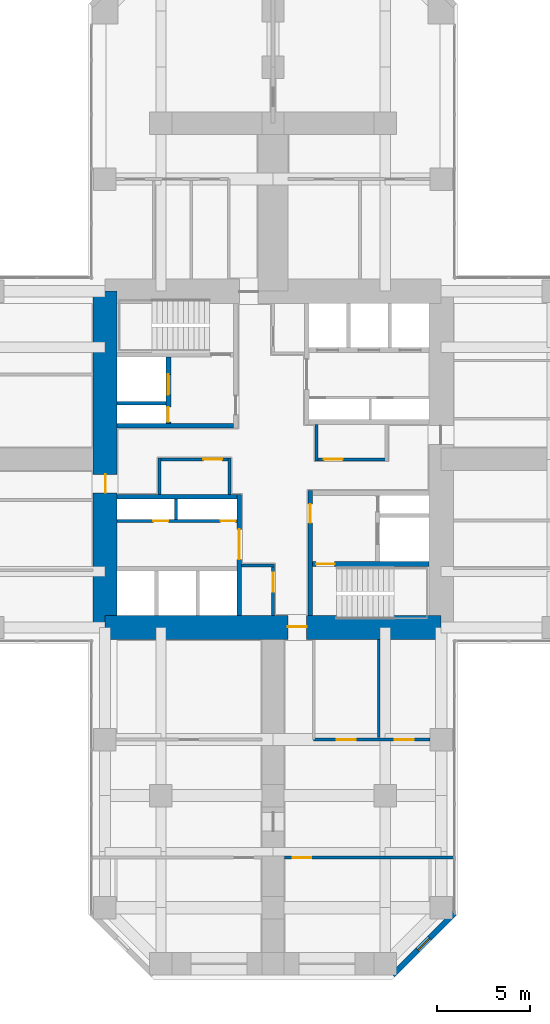
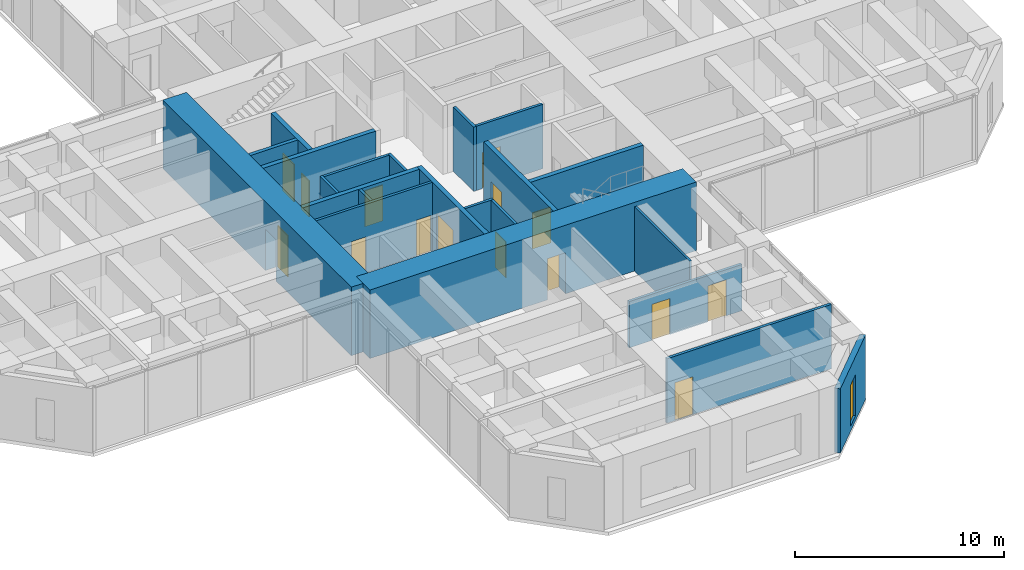
# One storey, part 9 of 13: 22 walls, 15 doors, 1 window, 16 openings.
"""IFC4 building model written with IfcOpenShell, lengths in metres."""

from ifc_helpers import new_model, si_unit, direction, frame, frame_2d, origin, place, context, subcontext, project, spatial, rectangle, hollow_rectangle, extrude, material, layer, layer_set, constituent, constituent_set, type_object, element, fill, save


model = new_model("IFC4")

# Units and contexts
model_context = context("Model", 3, precision=1e-05, world=origin(), true_north=direction((0.0, 1.0)))
body_context = subcontext(model_context, "Body", "Model", "MODEL_VIEW")
ifc_project = project(units=[si_unit("LENGTHUNIT", "METRE"), si_unit("AREAUNIT", "SQUARE_METRE"), si_unit("VOLUMEUNIT", "CUBIC_METRE"), si_unit("PLANEANGLEUNIT", "RADIAN"), si_unit("MASSUNIT", "GRAM", prefix="KILO")], contexts=[model_context])

# Site, building, storey
site_placement = place(None, origin())
site = spatial("IfcSite", under=ifc_project, at=site_placement, CompositionType="ELEMENT")
building_placement = place(site_placement, origin())
building = spatial("IfcBuilding", under=site, at=building_placement, Name="Torre Cruceta", CompositionType="ELEMENT")
storey_placement = place(building_placement, frame((0.0, 0.0, 91.5)))
storey = spatial("IfcBuildingStorey", under=building, at=storey_placement, Name="L22", CompositionType="ELEMENT", Elevation=91.5)

# Wall
ifc_material_1 = material(Name="Concrete G60 (fck 60 MPa)", Category="concrete")
ifc_layer_1 = layer(ifc_material_1, 0.25)
ifc_layer_set_1 = layer_set([ifc_layer_1], Name="Concrete G60 (fck 60 MPa)")
wall_type_1 = type_object("IfcWallType", Name="CORE INNER WALL 250 G60", PredefinedType="SHEAR", material=ifc_layer_set_1)
wall_1_placement = place(storey_placement, frame((-2.125, 1.800048828125, 0.0), z_axis=(0.0, 0.0, 1.0), x_axis=(-1.0, 0.0, 0.0)))
element("IfcWall", 1, at=wall_1_placement, inside=storey, type_object=wall_type_1, Name="CW4 L22 NW-CV", PredefinedType="SHEAR", context=body_context, shape_type="SweptSolid", body=[
    extrude(rectangle(XDim=6.22509765625, YDim=0.25, at=frame_2d((3.112548828125, 0.0))), origin(), (0.0, 0.0, 1.0), 4.0),
])

# Wall, openings, doors
wall_2_placement = place(storey_placement, frame((-5.60009765625, 1.925048828125, 0.0), z_axis=(0.0, 0.0, 1.0), x_axis=(0.0, 1.0, 0.0)))
wall_2 = element("IfcWall", 2, at=wall_2_placement, inside=storey, type_object=wall_type_1, Name="CW4 L22 NW-FU", PredefinedType="SHEAR", context=body_context, shape_type="SweptSolid", body=[
    extrude(rectangle(XDim=3.550048828125, YDim=0.25, at=frame_2d((1.77490234375, 0.0))), origin(), (0.0, 0.0, 1.0), 4.0),
])
opening_1_placement = place(wall_2_placement, frame((1.52490234375, 0.0, 0.0)))
opening_1 = element("IfcOpeningElement", 3, at=opening_1_placement, cuts=wall_2, Name="Opening LD1", PredefinedType="OPENING", context=body_context, shape_type="SweptSolid", body=[
    extrude(rectangle(XDim=1.10009765625, YDim=2.199951171875, at=frame_2d((0.550048828125, 1.10009765625))), frame((0.0, 0.135009765625, 0.0), z_axis=(0.0, -1.0, 0.0), x_axis=(1.0, 0.0, 0.0)), (0.0, 0.0, 1.0), 0.27001953125),
])
opening_2_placement = place(wall_2_placement, frame((0.074951171875, 0.0, 0.0)))
opening_2 = element("IfcOpeningElement", 4, at=opening_2_placement, cuts=wall_2, Name="Opening D5", PredefinedType="OPENING", context=body_context, shape_type="SweptSolid", body=[
    extrude(rectangle(XDim=0.800048828125, YDim=2.10009765625, at=frame_2d((0.39990234375, 1.050048828125))), frame((0.0, 0.135009765625, 0.0), z_axis=(0.0, -1.0, 0.0), x_axis=(1.0, 0.0, 0.0)), (0.0, 0.0, 1.0), 0.27001953125),
])
ifc_material_2 = material(Name="Stainless steel 1.4401", Category="steel")
door_type_1 = type_object("IfcDoorType", Name="LIFT LANDING DOOR 1100X2200", OperationType="DOUBLE_DOOR_SLIDING", PredefinedType="DOOR", material=ifc_material_2)
door_1_placement = place(opening_1_placement, origin())
door_1 = element("IfcDoor", 5, at=door_1_placement, inside=storey, type_object=door_type_1, Name="Lift landing door FL1", OperationType="DOUBLE_DOOR_SLIDING", OverallHeight=2.199951171875, OverallWidth=1.10009765625, PredefinedType="DOOR", context=body_context, shape_type="SweptSolid", body=[
    extrude(rectangle(XDim=1.10009765625, YDim=2.199951171875, at=frame_2d((0.550048828125, 1.10009765625))), frame((0.0, 0.02490234375, 0.0), z_axis=(0.0, -1.0, 0.0), x_axis=(1.0, 0.0, 0.0)), (0.0, 0.0, 1.0), 0.050048828125),
])
fill(opening_1, door_1)
ifc_material_3 = material(Name="Steel DX51D", Category="steel")
ifc_constituent_1 = constituent(ifc_material_3, Name="Leaf and frame")
ifc_material_4 = material(Name="Polyester powder coating", Category="paint")
ifc_constituent_2 = constituent(ifc_material_4, Name="Finish")
ifc_constituent_set_1 = constituent_set(constituents=[ifc_constituent_1, ifc_constituent_2], Name="Steel fire door")
door_type_2 = type_object("IfcDoorType", Name="RISER ACCESS DOOR 800X2100", OperationType="SINGLE_SWING_LEFT", PredefinedType="DOOR", material=ifc_constituent_set_1)
door_2_placement = place(opening_2_placement, origin())
door_2 = element("IfcDoor", 6, at=door_2_placement, inside=storey, type_object=door_type_2, Name="D5 L22 NW-RISER", OperationType="SINGLE_SWING_LEFT", OverallHeight=2.10009765625, OverallWidth=0.800048828125, PredefinedType="DOOR", context=body_context, shape_type="SweptSolid", body=[
    extrude(rectangle(XDim=0.800048828125, YDim=2.10009765625, at=frame_2d((0.39990234375, 1.050048828125))), frame((0.0, 0.02490234375, 0.0), z_axis=(0.0, -1.0, 0.0), x_axis=(1.0, 0.0, 0.0)), (0.0, 0.0, 1.0), 0.050048828125),
])
fill(opening_2, door_2)

# Wall, opening, door
wall_3_placement = place(storey_placement, frame((-1.800048828125, -1.875, 0.0), z_axis=(0.0, 0.0, 1.0), x_axis=(0.0, -1.0, 0.0)))
wall_3 = element("IfcWall", 7, at=wall_3_placement, inside=storey, type_object=wall_type_1, Name="CW4 L22 SW-CU", PredefinedType="SHEAR", context=body_context, shape_type="SweptSolid", body=[
    extrude(rectangle(XDim=6.47509765625, YDim=0.25, at=frame_2d((3.237548828125, 0.0))), origin(), (0.0, 0.0, 1.0), 4.0),
])
opening_3_placement = place(wall_3_placement, frame((1.875, 0.0, 0.0)))
opening_3 = element("IfcOpeningElement", 8, at=opening_3_placement, cuts=wall_3, Name="Opening D15", PredefinedType="OPENING", context=body_context, shape_type="SweptSolid", body=[
    extrude(rectangle(XDim=1.60009765625, YDim=2.39990234375, at=frame_2d((0.800048828125, 1.199951171875))), frame((0.0, 0.135009765625, 0.0), z_axis=(0.0, -1.0, 0.0), x_axis=(1.0, 0.0, 0.0)), (0.0, 0.0, 1.0), 0.27001953125),
])
ifc_material_5 = material(Name="Steel DX51D", Category="steel")
ifc_constituent_3 = constituent(ifc_material_5, Name="Leaf and frame")
ifc_material_6 = material(Name="Polyester powder coating", Category="paint")
ifc_constituent_4 = constituent(ifc_material_6, Name="Finish")
ifc_constituent_set_2 = constituent_set(constituents=[ifc_constituent_3, ifc_constituent_4], Name="Steel fire door")
door_type_3 = type_object("IfcDoorType", Name="CORE ROOM DOUBLE DOOR 1600X2400", OperationType="DOUBLE_DOOR_SINGLE_SWING", PredefinedType="DOOR", material=ifc_constituent_set_2)
door_3_placement = place(opening_3_placement, frame((1.60009765625, 0.0, 0.0), z_axis=(0.0, 0.0, 1.0), x_axis=(-1.0, 0.0, 0.0)))
door_3 = element("IfcDoor", 9, at=door_3_placement, inside=storey, type_object=door_type_3, Name="D15 L22 SW-LOBBY", OperationType="DOUBLE_DOOR_SINGLE_SWING", OverallHeight=2.39990234375, OverallWidth=1.60009765625, PredefinedType="DOOR", context=body_context, shape_type="SweptSolid", body=[
    extrude(rectangle(XDim=1.60009765625, YDim=2.39990234375, at=frame_2d((0.800048828125, 1.199951171875))), frame((0.0, 0.025146484375, 0.0), z_axis=(0.0, -1.0, 0.0), x_axis=(1.0, 0.0, 0.0)), (0.0, 0.0, 1.0), 0.050048828125),
])
fill(opening_3, door_3)

# Wall
wall_4_placement = place(storey_placement, frame((-1.925048828125, -2.0, 0.0), z_axis=(0.0, 0.0, 1.0), x_axis=(-1.0, 0.0, 0.0)))
element("IfcWall", 10, at=wall_4_placement, inside=storey, type_object=wall_type_1, Name="CW4 L22 SW-CV", PredefinedType="SHEAR", context=body_context, shape_type="SweptSolid", body=[
    extrude(rectangle(XDim=6.425048828125, YDim=0.25, at=frame_2d((3.21240234375, 0.0))), origin(), (0.0, 0.0, 1.0), 4.0),
])

# Wall, opening, door
wall_5_placement = place(storey_placement, frame((2.0, -1.675048828125, 0.0), z_axis=(0.0, 0.0, 1.0), x_axis=(0.0, -1.0, 0.0)))
wall_5 = element("IfcWall", 11, at=wall_5_placement, inside=storey, type_object=wall_type_1, Name="CW4 L22 SE-CU", PredefinedType="SHEAR", context=body_context, shape_type="SweptSolid", body=[
    extrude(rectangle(XDim=6.675048828125, YDim=0.25, at=frame_2d((3.33740234375, 0.0))), origin(), (0.0, 0.0, 1.0), 4.0),
])
opening_4_placement = place(wall_5_placement, frame((0.72509765625, 0.0, 0.0)))
opening_4 = element("IfcOpeningElement", 12, at=opening_4_placement, cuts=wall_5, Name="Opening D3", PredefinedType="OPENING", context=body_context, shape_type="SweptSolid", body=[
    extrude(rectangle(XDim=1.0, YDim=2.10009765625, at=frame_2d((0.5, 1.050048828125))), frame((0.0, 0.135009765625, 0.0), z_axis=(0.0, -1.0, 0.0), x_axis=(1.0, 0.0, 0.0)), (0.0, 0.0, 1.0), 0.27001953125),
])
ifc_material_7 = material(Name="Steel DX51D", Category="steel")
ifc_constituent_5 = constituent(ifc_material_7, Name="Leaf and frame")
ifc_material_8 = material(Name="Polyester powder coating", Category="paint")
ifc_constituent_6 = constituent(ifc_material_8, Name="Finish")
ifc_constituent_set_3 = constituent_set(constituents=[ifc_constituent_5, ifc_constituent_6], Name="Steel fire door")
door_type_4 = type_object("IfcDoorType", Name="FIRE DOOR 1000X2100", OperationType="SINGLE_SWING_LEFT", PredefinedType="DOOR", material=ifc_constituent_set_3)
door_4_placement = place(opening_4_placement, origin())
door_4 = element("IfcDoor", 13, at=door_4_placement, inside=storey, type_object=door_type_4, Name="D3 L22 SE-LOBBY", OperationType="SINGLE_SWING_LEFT", OverallHeight=2.10009765625, OverallWidth=1.0, PredefinedType="DOOR", context=body_context, shape_type="SweptSolid", body=[
    extrude(rectangle(XDim=1.0, YDim=2.10009765625, at=frame_2d((0.5, 1.050048828125))), frame((0.0, 0.02490234375, 0.0), z_axis=(0.0, -1.0, 0.0), x_axis=(1.0, 0.0, 0.0)), (0.0, 0.0, 1.0), 0.050048828125),
])
fill(opening_4, door_4)

wall_6_placement = place(storey_placement, frame((2.125, -5.60009765625, 0.0), z_axis=(0.0, 0.0, 1.0), x_axis=(1.0, 0.0, 0.0)))
wall_6 = element("IfcWall", 14, at=wall_6_placement, inside=storey, type_object=wall_type_1, Name="CW4 L22 SE-SV", PredefinedType="SHEAR", context=body_context, shape_type="SweptSolid", body=[
    extrude(rectangle(XDim=6.22509765625, YDim=0.25, at=frame_2d((3.112548828125, 0.0))), origin(), (0.0, 0.0, 1.0), 4.0),
])
opening_5_placement = place(wall_6_placement, frame((0.175048828125, 0.0, 0.0)))
opening_5 = element("IfcOpeningElement", 15, at=opening_5_placement, cuts=wall_6, Name="Opening D3", PredefinedType="OPENING", context=body_context, shape_type="SweptSolid", body=[
    extrude(rectangle(XDim=1.0, YDim=2.10009765625, at=frame_2d((0.5, 1.050048828125))), frame((0.0, 0.135009765625, 0.0), z_axis=(0.0, -1.0, 0.0), x_axis=(1.0, 0.0, 0.0)), (0.0, 0.0, 1.0), 0.27001953125),
])
door_5_placement = place(opening_5_placement, frame((1.0, 0.0, 0.0), z_axis=(0.0, 0.0, 1.0), x_axis=(-1.0, 0.0, 0.0)))
door_5 = element("IfcDoor", 16, at=door_5_placement, inside=storey, type_object=door_type_4, Name="D3 L22 SE-STAIR", OperationType="SINGLE_SWING_RIGHT", OverallHeight=2.10009765625, OverallWidth=1.0, PredefinedType="DOOR", context=body_context, shape_type="SweptSolid", body=[
    extrude(rectangle(XDim=1.0, YDim=2.10009765625, at=frame_2d((0.5, 1.050048828125))), frame((0.0, 0.025146484375, 0.0), z_axis=(0.0, -1.0, 0.0), x_axis=(1.0, 0.0, 0.0)), (0.0, 0.0, 1.0), 0.050048828125),
])
fill(opening_5, door_5)

ifc_material_9 = material(Name="Concrete G60 (fck 60 MPa)", Category="concrete")
ifc_layer_2 = layer(ifc_material_9, 1.300048828125)
ifc_layer_set_2 = layer_set([ifc_layer_2], Name="Concrete G60 (fck 60 MPa)")
wall_type_2 = type_object("IfcWallType", Name="CORE WALL 1300 G60", PredefinedType="SHEAR", material=ifc_layer_set_2)
wall_7_placement = place(storey_placement, frame((-9.0, -9.0, 0.0), z_axis=(0.0, 0.0, 1.0), x_axis=(1.0, 0.0, 0.0)))
wall_7 = element("IfcWall", 17, at=wall_7_placement, inside=storey, type_object=wall_type_2, Name="CW1 L22 CW-S", PredefinedType="SHEAR", context=body_context, shape_type="SweptSolid", body=[
    extrude(rectangle(XDim=18.0, YDim=1.300048828125, at=frame_2d((9.0, 0.0))), origin(), (0.0, 0.0, 1.0), 4.0),
])
opening_6_placement = place(wall_7_placement, frame((9.800048828125, 0.0, 0.0)))
opening_6 = element("IfcOpeningElement", 18, at=opening_6_placement, cuts=wall_7, Name="Opening D4", PredefinedType="OPENING", context=body_context, shape_type="SweptSolid", body=[
    extrude(rectangle(XDim=1.0, YDim=2.39990234375, at=frame_2d((0.5, 1.199951171875))), frame((0.0, 0.659912109375, 0.0), z_axis=(0.0, -1.0, 0.0), x_axis=(1.0, 0.0, 0.0)), (0.0, 0.0, 1.0), 1.320068359375),
])
ifc_material_10 = material(Name="Steel DX51D", Category="steel")
ifc_constituent_7 = constituent(ifc_material_10, Name="Leaf and frame")
ifc_material_11 = material(Name="Polyester powder coating", Category="paint")
ifc_constituent_8 = constituent(ifc_material_11, Name="Finish")
ifc_constituent_set_4 = constituent_set(constituents=[ifc_constituent_7, ifc_constituent_8], Name="Steel fire door")
door_type_5 = type_object("IfcDoorType", Name="CORE ARM DOOR 1000X2400", OperationType="SINGLE_SWING_RIGHT", PredefinedType="DOOR", material=ifc_constituent_set_4)
door_6_placement = place(opening_6_placement, frame((1.0, 0.0, 0.0), z_axis=(0.0, 0.0, 1.0), x_axis=(-1.0, 0.0, 0.0)))
door_6 = element("IfcDoor", 19, at=door_6_placement, inside=storey, type_object=door_type_5, Name="D4 L22 CW-S", OperationType="SINGLE_SWING_RIGHT", OverallHeight=2.39990234375, OverallWidth=1.0, PredefinedType="DOOR", context=body_context, shape_type="SweptSolid", body=[
    extrude(rectangle(XDim=1.0, YDim=2.39990234375, at=frame_2d((0.5, 1.199951171875))), frame((0.0, -0.005126953125, 0.0), z_axis=(0.0, -1.0, 0.0), x_axis=(1.0, 0.0, 0.0)), (0.0, 0.0, 1.0), 0.050048828125),
])
fill(opening_6, door_6)

wall_8_placement = place(storey_placement, frame((-9.0, 9.0, 0.0), z_axis=(0.0, 0.0, 1.0), x_axis=(0.0, -1.0, 0.0)))
wall_8 = element("IfcWall", 20, at=wall_8_placement, inside=storey, type_object=wall_type_2, Name="CW1 L22 CW-W", PredefinedType="SHEAR", context=body_context, shape_type="SweptSolid", body=[
    extrude(rectangle(XDim=18.0, YDim=1.300048828125, at=frame_2d((9.0, 0.0))), origin(), (0.0, 0.0, 1.0), 4.0),
])
opening_7_placement = place(wall_8_placement, frame((9.800048828125, 0.0, 0.0)))
opening_7 = element("IfcOpeningElement", 21, at=opening_7_placement, cuts=wall_8, Name="Opening D4", PredefinedType="OPENING", context=body_context, shape_type="SweptSolid", body=[
    extrude(rectangle(XDim=1.0, YDim=2.39990234375, at=frame_2d((0.5, 1.199951171875))), frame((0.0, 0.659912109375, 0.0), z_axis=(0.0, -1.0, 0.0), x_axis=(1.0, 0.0, 0.0)), (0.0, 0.0, 1.0), 1.320068359375),
])
door_7_placement = place(opening_7_placement, frame((1.0, 0.0, 0.0), z_axis=(0.0, 0.0, 1.0), x_axis=(-1.0, 0.0, 0.0)))
door_7 = element("IfcDoor", 22, at=door_7_placement, inside=storey, type_object=door_type_5, Name="D4 L22 CW-W", OperationType="SINGLE_SWING_RIGHT", OverallHeight=2.39990234375, OverallWidth=1.0, PredefinedType="DOOR", context=body_context, shape_type="SweptSolid", body=[
    extrude(rectangle(XDim=1.0, YDim=2.39990234375, at=frame_2d((0.5, 1.199951171875))), frame((0.0, -0.005126953125, 0.0), z_axis=(0.0, -1.0, 0.0), x_axis=(1.0, 0.0, 0.0)), (0.0, 0.0, 1.0), 0.050048828125),
])
fill(opening_7, door_7)

# Wall, opening, window
ifc_material_12 = material(Name="Concrete G30 (fck 30 MPa)", Category="concrete")
ifc_layer_3 = layer(ifc_material_12, 0.300048828125)
ifc_layer_set_3 = layer_set([ifc_layer_3], Name="Concrete G30 (fck 30 MPa)")
wall_type_3 = type_object("IfcWallType", Name="EXPOSED CONCRETE FACADE WALL 300", PredefinedType="SOLIDWALL", material=ifc_layer_set_3)
wall_9_placement = place(storey_placement, frame((6.418212890625, -27.60009765625, 0.0), z_axis=(0.0, 0.0, 1.0), x_axis=(0.707106781187, 0.707106781187, 0.0)))
wall_9 = element("IfcWall", 23, at=wall_9_placement, inside=storey, type_object=wall_type_3, Name="EW1 facade wall L22 S chamfer 18", PredefinedType="SOLIDWALL", context=body_context, shape_type="SweptSolid", body=[
    extrude(rectangle(XDim=4.66943359375, YDim=0.300048828125, at=frame_2d((2.334716796875, 0.0))), origin(), (0.0, 0.0, 1.0), 3.75),
])
opening_8_placement = place(wall_9_placement, frame((1.884765625, 0.0, 0.300048828125)))
opening_8 = element("IfcOpeningElement", 24, at=opening_8_placement, cuts=wall_9, Name="Opening WN5", PredefinedType="OPENING", context=body_context, shape_type="SweptSolid", body=[
    extrude(rectangle(XDim=0.89990234375, YDim=2.39990234375, at=frame_2d((0.449951171875, 1.199951171875))), frame((0.0, 0.159912109375, 0.0), z_axis=(0.0, -1.0, 0.0), x_axis=(1.0, 0.0, 0.0)), (0.0, 0.0, 1.0), 0.320068359375),
])
ifc_material_13 = material(Name="Aluminium window frame", Category="aluminium")
ifc_constituent_9 = constituent(ifc_material_13, Name="Frame")
ifc_material_14 = material(Name="Laminated insulating glass unit, low-iron clear", Category="glass")
ifc_constituent_10 = constituent(ifc_material_14, Name="Glazing")
ifc_constituent_set_5 = constituent_set(constituents=[ifc_constituent_9, ifc_constituent_10], Name="Aluminium window")
window_type = type_object("IfcWindowType", Name="CHAMFER SLOT WINDOW 900X2400", PartitioningType="SINGLE_PANEL", PredefinedType="WINDOW", material=ifc_constituent_set_5)
window_placement = place(opening_8_placement, origin())
window = element("IfcWindow", 25, at=window_placement, inside=storey, type_object=window_type, Name="WN5 L22 S 1", OverallHeight=2.39990234375, OverallWidth=0.89990234375, PartitioningType="SINGLE_PANEL", PredefinedType="WINDOW", context=body_context, shape_type="SweptSolid", body=[
    extrude(hollow_rectangle(XDim=0.89990234375, YDim=2.39990234375, WallThickness=0.06005859375, at=frame_2d((0.449951171875, 1.199951171875))), frame((0.0, 0.030029296875, 0.0), z_axis=(0.0, -1.0, 0.0), x_axis=(1.0, 0.0, 0.0)), (0.0, 0.0, 1.0), 0.06005859375),
    extrude(rectangle(XDim=0.77880859375, YDim=2.27880859375, at=frame_2d((0.449951171875, 1.199951171875))), frame((0.0, 0.030029296875, 0.0), z_axis=(0.0, -1.0, 0.0), x_axis=(1.0, 0.0, 0.0)), (0.0, 0.0, 1.0), 0.06005859375),
])
fill(opening_8, window)

# Wall
ifc_material_15 = material(Name="Concrete G35 (fck 35 MPa)", Category="concrete")
ifc_layer_4 = layer(ifc_material_15, 0.199951171875)
ifc_layer_set_4 = layer_set([ifc_layer_4], Name="Concrete G35 (fck 35 MPa)")
wall_type_4 = type_object("IfcWallType", Name="LIFT SHAFT WALL 200", PredefinedType="PARTITIONING", material=ifc_layer_set_4)
wall_10_placement = place(storey_placement, frame((-5.72509765625, 3.0, 0.0), z_axis=(0.0, 0.0, 1.0), x_axis=(-1.0, 0.0, 0.0)))
element("IfcWall", 26, at=wall_10_placement, inside=storey, type_object=wall_type_4, Name="SW1 L22 NW-FR", PredefinedType="PARTITIONING", context=body_context, shape_type="SweptSolid", body=[
    extrude(rectangle(XDim=2.625, YDim=0.199951171875, at=frame_2d((1.3125, 0.0))), origin(), (0.0, 0.0, 1.0), 4.0),
])

# Wall, opening, door
ifc_material_16 = material(Name="Plasterboard on steel studs", Category="steel")
ifc_layer_5 = layer(ifc_material_16, 0.14990234375)
ifc_layer_set_5 = layer_set([ifc_layer_5], Name="Plasterboard on steel studs")
wall_type_5 = type_object("IfcWallType", Name="PARTITION 150", PredefinedType="PARTITIONING", material=ifc_layer_set_5)
wall_11_placement = place(storey_placement, frame((2.324951171875, 0.0, 0.0), z_axis=(0.0, 0.0, 1.0), x_axis=(1.0, 0.0, 0.0)))
wall_11 = element("IfcWall", 27, at=wall_11_placement, inside=storey, type_object=wall_type_5, Name="PT1 L22-CORE-LEGE-N-W1", PredefinedType="PARTITIONING", context=body_context, shape_type="SweptSolid", body=[
    extrude(rectangle(XDim=3.75, YDim=0.14990234375, at=frame_2d((1.875, 0.0))), origin(), (0.0, 0.0, 1.0), 3.75),
])
opening_9_placement = place(wall_11_placement, frame((0.39990234375, 0.0, 0.0)))
opening_9 = element("IfcOpeningElement", 28, at=opening_9_placement, cuts=wall_11, Name="Opening D3", PredefinedType="OPENING", context=body_context, shape_type="SweptSolid", body=[
    extrude(rectangle(XDim=1.0, YDim=2.10009765625, at=frame_2d((0.5, 1.050048828125))), frame((0.0, 0.0849609375, 0.0), z_axis=(0.0, -1.0, 0.0), x_axis=(1.0, 0.0, 0.0)), (0.0, 0.0, 1.0), 0.169921875),
])
door_8_placement = place(opening_9_placement, origin())
door_8 = element("IfcDoor", 29, at=door_8_placement, inside=storey, type_object=door_type_4, Name="D3 L22-CORE-LEGE-N-W1-D1", OperationType="SINGLE_SWING_LEFT", OverallHeight=2.10009765625, OverallWidth=1.0, PredefinedType="DOOR", context=body_context, shape_type="SweptSolid", body=[
    extrude(rectangle(XDim=1.0, YDim=2.10009765625, at=frame_2d((0.5, 1.050048828125))), frame((0.0, 0.02490234375, 0.0), z_axis=(0.0, -1.0, 0.0), x_axis=(1.0, 0.0, 0.0)), (0.0, 0.0, 1.0), 0.050048828125),
])
fill(opening_9, door_8)

# Wall
wall_12_placement = place(storey_placement, frame((2.324951171875, 1.875, 0.0), z_axis=(0.0, 0.0, 1.0), x_axis=(0.0, -1.0, 0.0)))
element("IfcWall", 30, at=wall_12_placement, inside=storey, type_object=wall_type_5, Name="PT1 L22-CORE-LEGE-N-W2", PredefinedType="PARTITIONING", context=body_context, shape_type="SweptSolid", body=[
    extrude(rectangle(XDim=1.949951171875, YDim=0.14990234375, at=frame_2d((0.97509765625, 0.0))), origin(), (0.0, 0.0, 1.0), 3.75),
])

# Wall, opening, door
wall_13_placement = place(storey_placement, frame((-2.324951171875, 0.0, 0.0), z_axis=(0.0, 0.0, 1.0), x_axis=(-1.0, 0.0, 0.0)))
wall_13 = element("IfcWall", 31, at=wall_13_placement, inside=storey, type_object=wall_type_5, Name="PT1 L22-CORE-LEGW-S-W1", PredefinedType="PARTITIONING", context=body_context, shape_type="SweptSolid", body=[
    extrude(rectangle(XDim=3.75, YDim=0.14990234375, at=frame_2d((1.875, 0.0))), origin(), (0.0, 0.0, 1.0), 3.75),
])
opening_10_placement = place(wall_13_placement, frame((0.39990234375, 0.0, 0.0)))
opening_10 = element("IfcOpeningElement", 32, at=opening_10_placement, cuts=wall_13, Name="Opening D3", PredefinedType="OPENING", context=body_context, shape_type="SweptSolid", body=[
    extrude(rectangle(XDim=1.0, YDim=2.10009765625, at=frame_2d((0.5, 1.050048828125))), frame((0.0, 0.0849609375, 0.0), z_axis=(0.0, -1.0, 0.0), x_axis=(1.0, 0.0, 0.0)), (0.0, 0.0, 1.0), 0.169921875),
])
door_9_placement = place(opening_10_placement, origin())
door_9 = element("IfcDoor", 33, at=door_9_placement, inside=storey, type_object=door_type_4, Name="D3 L22-CORE-LEGW-S-W1-D1", OperationType="SINGLE_SWING_LEFT", OverallHeight=2.10009765625, OverallWidth=1.0, PredefinedType="DOOR", context=body_context, shape_type="SweptSolid", body=[
    extrude(rectangle(XDim=1.0, YDim=2.10009765625, at=frame_2d((0.5, 1.050048828125))), frame((0.0, 0.02490234375, 0.0), z_axis=(0.0, -1.0, 0.0), x_axis=(1.0, 0.0, 0.0)), (0.0, 0.0, 1.0), 0.050048828125),
])
fill(opening_10, door_9)

# Walls
for number, where, z_axis, x_axis, name in (
    (34, (-2.324951171875, -1.875, 0.0), (0.0, 0.0, 1.0), (0.0, 1.0, 0.0), "PT1 L22-CORE-LEGW-S-W2"),
    (35, (-6.074951171875, 0.074951171875, 0.0), (0.0, 0.0, 1.0), (0.0, -1.0, 0.0), "PT1 L22-CORE-LEGW-S-W3"),
):
    element("IfcWall", number, at=place(storey_placement, frame(where, z_axis=z_axis, x_axis=x_axis)), inside=storey, type_object=wall_type_5, Name=name, PredefinedType="PARTITIONING", context=body_context, shape_type="SweptSolid", body=[
        extrude(rectangle(XDim=1.949951171875, YDim=0.14990234375, at=frame_2d((0.97509765625, 0.0))), origin(), (0.0, 0.0, 1.0), 3.75),
    ])

# Wall, opening, door
wall_14_placement = place(storey_placement, frame((0.0, -5.675048828125, 0.0), z_axis=(0.0, 0.0, 1.0), x_axis=(0.0, -1.0, 0.0)))
wall_14 = element("IfcWall", 36, at=wall_14_placement, inside=storey, type_object=wall_type_5, Name="PT1 L22-CORE-LEGS-W-W1", PredefinedType="PARTITIONING", context=body_context, shape_type="SweptSolid", body=[
    extrude(rectangle(XDim=2.675048828125, YDim=0.14990234375, at=frame_2d((1.33740234375, 0.0))), origin(), (0.0, 0.0, 1.0), 3.75),
])
opening_11_placement = place(wall_14_placement, frame((0.39990234375, 0.0, 0.0)))
opening_11 = element("IfcOpeningElement", 37, at=opening_11_placement, cuts=wall_14, Name="Opening D3", PredefinedType="OPENING", context=body_context, shape_type="SweptSolid", body=[
    extrude(rectangle(XDim=1.0, YDim=2.10009765625, at=frame_2d((0.5, 1.050048828125))), frame((0.0, 0.0849609375, 0.0), z_axis=(0.0, -1.0, 0.0), x_axis=(1.0, 0.0, 0.0)), (0.0, 0.0, 1.0), 0.169921875),
])
door_10_placement = place(opening_11_placement, frame((1.0, 0.0, 0.0), z_axis=(0.0, 0.0, 1.0), x_axis=(-1.0, 0.0, 0.0)))
door_10 = element("IfcDoor", 38, at=door_10_placement, inside=storey, type_object=door_type_4, Name="D3 L22-CORE-LEGS-W-W1-D1", OperationType="SINGLE_SWING_RIGHT", OverallHeight=2.10009765625, OverallWidth=1.0, PredefinedType="DOOR", context=body_context, shape_type="SweptSolid", body=[
    extrude(rectangle(XDim=1.0, YDim=2.10009765625, at=frame_2d((0.5, 1.050048828125))), frame((0.0, 0.025146484375, 0.0), z_axis=(0.0, -1.0, 0.0), x_axis=(1.0, 0.0, 0.0)), (0.0, 0.0, 1.0), 0.050048828125),
])
fill(opening_11, door_10)

# Wall
wall_15_placement = place(storey_placement, frame((-1.675048828125, -5.675048828125, 0.0), z_axis=(0.0, 0.0, 1.0), x_axis=(1.0, 0.0, 0.0)))
element("IfcWall", 39, at=wall_15_placement, inside=storey, type_object=wall_type_5, Name="PT1 L22-CORE-LEGS-W-W2", PredefinedType="PARTITIONING", context=body_context, shape_type="SweptSolid", body=[
    extrude(rectangle(XDim=1.75, YDim=0.14990234375, at=frame_2d((0.875, 0.0))), origin(), (0.0, 0.0, 1.0), 3.75),
])

# Wall, openings, doors
wall_16_placement = place(storey_placement, frame((2.175048828125, -15.0, 0.0), z_axis=(0.0, 0.0, 1.0), x_axis=(1.0, 0.0, 0.0)))
wall_16 = element("IfcWall", 40, at=wall_16_placement, inside=storey, type_object=wall_type_5, Name="PT1 L22-S-BFL", PredefinedType="PARTITIONING", context=body_context, shape_type="SweptSolid", body=[
    extrude(rectangle(XDim=6.224853515625, YDim=0.14990234375, at=frame_2d((3.1123046875, 0.0))), origin(), (0.0, 0.0, 1.0), 2.699951171875),
])
opening_12_placement = place(wall_16_placement, frame((1.2392578125, 0.0, 0.0)))
opening_12 = element("IfcOpeningElement", 41, at=opening_12_placement, cuts=wall_16, Name="Opening D3", PredefinedType="OPENING", context=body_context, shape_type="SweptSolid", body=[
    extrude(rectangle(XDim=1.0, YDim=2.10009765625, at=frame_2d((0.5, 1.050048828125))), frame((0.0, 0.0849609375, 0.0), z_axis=(0.0, -1.0, 0.0), x_axis=(1.0, 0.0, 0.0)), (0.0, 0.0, 1.0), 0.169921875),
])
opening_13_placement = place(wall_16_placement, frame((4.351806640625, 0.0, 0.0)))
opening_13 = element("IfcOpeningElement", 42, at=opening_13_placement, cuts=wall_16, Name="Opening D3", PredefinedType="OPENING", context=body_context, shape_type="SweptSolid", body=[
    extrude(rectangle(XDim=1.0, YDim=2.10009765625, at=frame_2d((0.5, 1.050048828125))), frame((0.0, 0.0849609375, 0.0), z_axis=(0.0, -1.0, 0.0), x_axis=(1.0, 0.0, 0.0)), (0.0, 0.0, 1.0), 0.169921875),
])
door_11_placement = place(opening_12_placement, origin())
door_11 = element("IfcDoor", 43, at=door_11_placement, inside=storey, type_object=door_type_4, Name="D3 L22-S-BFL-D1", OperationType="SINGLE_SWING_LEFT", OverallHeight=2.10009765625, OverallWidth=1.0, PredefinedType="DOOR", context=body_context, shape_type="SweptSolid", body=[
    extrude(rectangle(XDim=1.0, YDim=2.10009765625, at=frame_2d((0.5, 1.050048828125))), frame((0.0, 0.02490234375, 0.0), z_axis=(0.0, -1.0, 0.0), x_axis=(1.0, 0.0, 0.0)), (0.0, 0.0, 1.0), 0.050048828125),
])
fill(opening_12, door_11)
door_12_placement = place(opening_13_placement, origin())
door_12 = element("IfcDoor", 44, at=door_12_placement, inside=storey, type_object=door_type_4, Name="D3 L22-S-BFL-D2", OperationType="SINGLE_SWING_LEFT", OverallHeight=2.10009765625, OverallWidth=1.0, PredefinedType="DOOR", context=body_context, shape_type="SweptSolid", body=[
    extrude(rectangle(XDim=1.0, YDim=2.10009765625, at=frame_2d((0.5, 1.050048828125))), frame((0.0, 0.02490234375, 0.0), z_axis=(0.0, -1.0, 0.0), x_axis=(1.0, 0.0, 0.0)), (0.0, 0.0, 1.0), 0.050048828125),
])
fill(opening_13, door_12)

# Wall, opening, door
wall_17_placement = place(storey_placement, frame((0.60009765625, -21.320068359375, 0.0), z_axis=(0.0, 0.0, 1.0), x_axis=(1.0, 0.0, 0.0)))
wall_17 = element("IfcWall", 45, at=wall_17_placement, inside=storey, type_object=wall_type_5, Name="PT1 L22-S-TWL", PredefinedType="PARTITIONING", context=body_context, shape_type="SweptSolid", body=[
    extrude(rectangle(XDim=9.079833984375, YDim=0.14990234375, at=frame_2d((4.5400390625, 0.0))), origin(), (0.0, 0.0, 1.0), 3.75),
])
opening_14_placement = place(wall_17_placement, frame((0.449951171875, 0.0, 0.0)))
opening_14 = element("IfcOpeningElement", 46, at=opening_14_placement, cuts=wall_17, Name="Opening D14", PredefinedType="OPENING", context=body_context, shape_type="SweptSolid", body=[
    extrude(rectangle(XDim=1.0, YDim=2.199951171875, at=frame_2d((0.5, 1.10009765625))), frame((0.0, 0.0849609375, 0.0), z_axis=(0.0, -1.0, 0.0), x_axis=(1.0, 0.0, 0.0)), (0.0, 0.0, 1.0), 0.169921875),
])
ifc_material_17 = material(Name="Steel DX51D", Category="steel")
ifc_constituent_11 = constituent(ifc_material_17, Name="Leaf and frame")
ifc_material_18 = material(Name="Polyester powder coating", Category="paint")
ifc_constituent_12 = constituent(ifc_material_18, Name="Finish")
ifc_material_19 = material(Name="Fire-resisting glass", Category="glass")
ifc_constituent_13 = constituent(ifc_material_19, Name="Vision panel")
ifc_constituent_set_6 = constituent_set(constituents=[ifc_constituent_11, ifc_constituent_12, ifc_constituent_13], Name="Steel fire door with vision panel")
door_type_6 = type_object("IfcDoorType", Name="FIRE DOOR VISION PANEL 1000X2200", OperationType="SINGLE_SWING_RIGHT", PredefinedType="DOOR", material=ifc_constituent_set_6)
door_13_placement = place(opening_14_placement, frame((1.0, 0.0, 0.0), z_axis=(0.0, 0.0, 1.0), x_axis=(-1.0, 0.0, 0.0)))
door_13 = element("IfcDoor", 47, at=door_13_placement, inside=storey, type_object=door_type_6, Name="D14 L22-S-TWL-D1", OperationType="SINGLE_SWING_RIGHT", OverallHeight=2.199951171875, OverallWidth=1.0, PredefinedType="DOOR", context=body_context, shape_type="SweptSolid", body=[
    extrude(rectangle(XDim=1.0, YDim=2.199951171875, at=frame_2d((0.5, 1.10009765625))), frame((0.0, 0.025146484375, 0.0), z_axis=(0.0, -1.0, 0.0), x_axis=(1.0, 0.0, 0.0)), (0.0, 0.0, 1.0), 0.050048828125),
])
fill(opening_14, door_13)

# Wall, openings, doors
ifc_material_20 = material(Name="Concrete block masonry", Category="masonry")
ifc_layer_6 = layer(ifc_material_20, 0.14990234375)
ifc_layer_set_6 = layer_set([ifc_layer_6], Name="Concrete block masonry")
wall_type_6 = type_object("IfcWallType", Name="RISER WALL 150", PredefinedType="PARTITIONING", material=ifc_layer_set_6)
wall_18_placement = place(storey_placement, frame((-1.925048828125, -3.300048828125, 0.0), z_axis=(0.0, 0.0, 1.0), x_axis=(-1.0, 0.0, 0.0)))
wall_18 = element("IfcWall", 48, at=wall_18_placement, inside=storey, type_object=wall_type_6, Name="SW7 L22 SW-RV", PredefinedType="PARTITIONING", context=body_context, shape_type="SweptSolid", body=[
    extrude(rectangle(XDim=6.425048828125, YDim=0.14990234375, at=frame_2d((3.21240234375, 0.0))), origin(), (0.0, 0.0, 1.0), 4.0),
])
opening_15_placement = place(wall_18_placement, frame((0.074951171875, 0.0, 0.0)))
opening_15 = element("IfcOpeningElement", 49, at=opening_15_placement, cuts=wall_18, Name="Opening D5", PredefinedType="OPENING", context=body_context, shape_type="SweptSolid", body=[
    extrude(rectangle(XDim=0.800048828125, YDim=2.10009765625, at=frame_2d((0.39990234375, 1.050048828125))), frame((0.0, 0.0849609375, 0.0), z_axis=(0.0, -1.0, 0.0), x_axis=(1.0, 0.0, 0.0)), (0.0, 0.0, 1.0), 0.169921875),
])
opening_16_placement = place(wall_18_placement, frame((3.675048828125, 0.0, 0.0)))
opening_16 = element("IfcOpeningElement", 50, at=opening_16_placement, cuts=wall_18, Name="Opening D5", PredefinedType="OPENING", context=body_context, shape_type="SweptSolid", body=[
    extrude(rectangle(XDim=0.800048828125, YDim=2.10009765625, at=frame_2d((0.39990234375, 1.050048828125))), frame((0.0, 0.0849609375, 0.0), z_axis=(0.0, -1.0, 0.0), x_axis=(1.0, 0.0, 0.0)), (0.0, 0.0, 1.0), 0.169921875),
])
door_14_placement = place(opening_15_placement, frame((0.800048828125, 0.0, 0.0), z_axis=(0.0, 0.0, 1.0), x_axis=(-1.0, 0.0, 0.0)))
door_14 = element("IfcDoor", 51, at=door_14_placement, inside=storey, type_object=door_type_2, Name="D5 L22 SW-RISER1", OperationType="SINGLE_SWING_RIGHT", OverallHeight=2.10009765625, OverallWidth=0.800048828125, PredefinedType="DOOR", context=body_context, shape_type="SweptSolid", body=[
    extrude(rectangle(XDim=0.800048828125, YDim=2.10009765625, at=frame_2d((0.400146484375, 1.050048828125))), frame((0.0, 0.025146484375, 0.0), z_axis=(0.0, -1.0, 0.0), x_axis=(1.0, 0.0, 0.0)), (0.0, 0.0, 1.0), 0.050048828125),
])
fill(opening_15, door_14)
door_15_placement = place(opening_16_placement, frame((0.800048828125, 0.0, 0.0), z_axis=(0.0, 0.0, 1.0), x_axis=(-1.0, 0.0, 0.0)))
door_15 = element("IfcDoor", 52, at=door_15_placement, inside=storey, type_object=door_type_2, Name="D5 L22 SW-RISER2", OperationType="SINGLE_SWING_RIGHT", OverallHeight=2.10009765625, OverallWidth=0.800048828125, PredefinedType="DOOR", context=body_context, shape_type="SweptSolid", body=[
    extrude(rectangle(XDim=0.800048828125, YDim=2.10009765625, at=frame_2d((0.400146484375, 1.050048828125))), frame((0.0, 0.025146484375, 0.0), z_axis=(0.0, -1.0, 0.0), x_axis=(1.0, 0.0, 0.0)), (0.0, 0.0, 1.0), 0.050048828125),
])
fill(opening_16, door_15)

# Walls
wall_19_placement = place(storey_placement, frame((-5.199951171875, -2.125, 0.0), z_axis=(0.0, 0.0, 1.0), x_axis=(0.0, -1.0, 0.0)))
element("IfcWall", 53, at=wall_19_placement, inside=storey, type_object=wall_type_6, Name="SW7 L22 SW-RU", PredefinedType="PARTITIONING", context=body_context, shape_type="SweptSolid", body=[
    extrude(rectangle(XDim=1.10009765625, YDim=0.14990234375, at=frame_2d((0.550048828125, 0.0))), origin(), (0.0, 0.0, 1.0), 4.0),
])
ifc_material_21 = material(Name="Plasterboard on steel studs", Category="steel")
ifc_layer_7 = layer(ifc_material_21, 0.1201171875)
ifc_layer_set_7 = layer_set([ifc_layer_7], Name="Plasterboard on steel studs")
wall_type_7 = type_object("IfcWallType", Name="WC PARTITION 120", PredefinedType="PLUMBINGWALL", material=ifc_layer_set_7)
wall_20_placement = place(storey_placement, frame((5.653564453125, -9.64990234375, 0.0), z_axis=(0.0, 0.0, 1.0), x_axis=(0.0, -1.0, 0.0)))
element("IfcWall", 54, at=wall_20_placement, inside=storey, type_object=wall_type_7, Name="PT5 L22-S-BDL1", PredefinedType="PLUMBINGWALL", context=body_context, shape_type="SweptSolid", body=[
    extrude(rectangle(XDim=5.25, YDim=0.1201171875, at=frame_2d((2.625, 0.0))), origin(), (0.0, 0.0, 1.0), 3.75),
])

save(model, "model.ifc")
